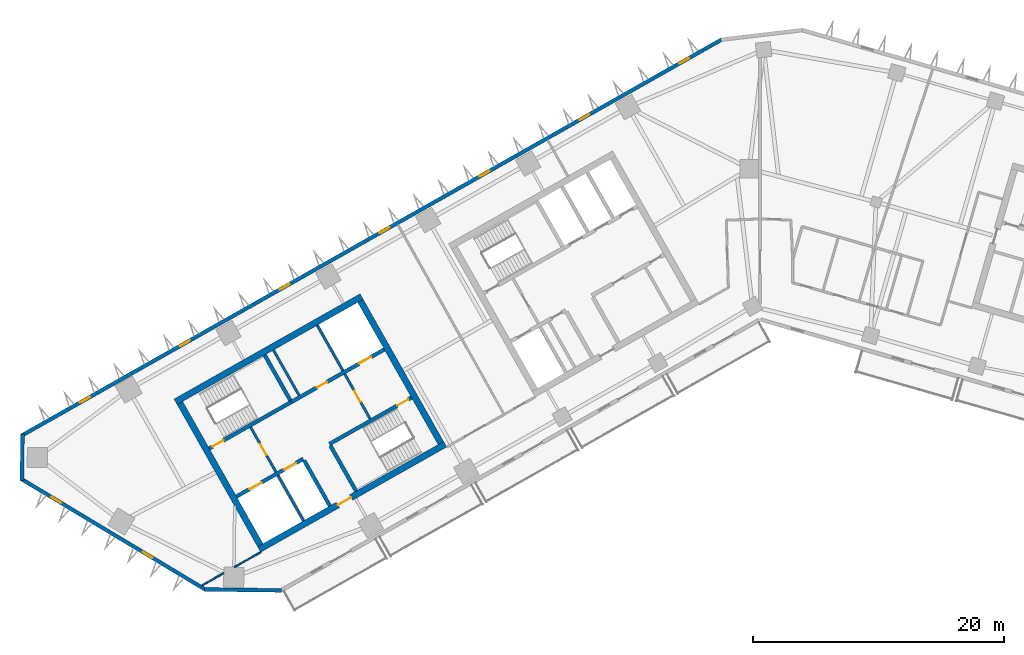
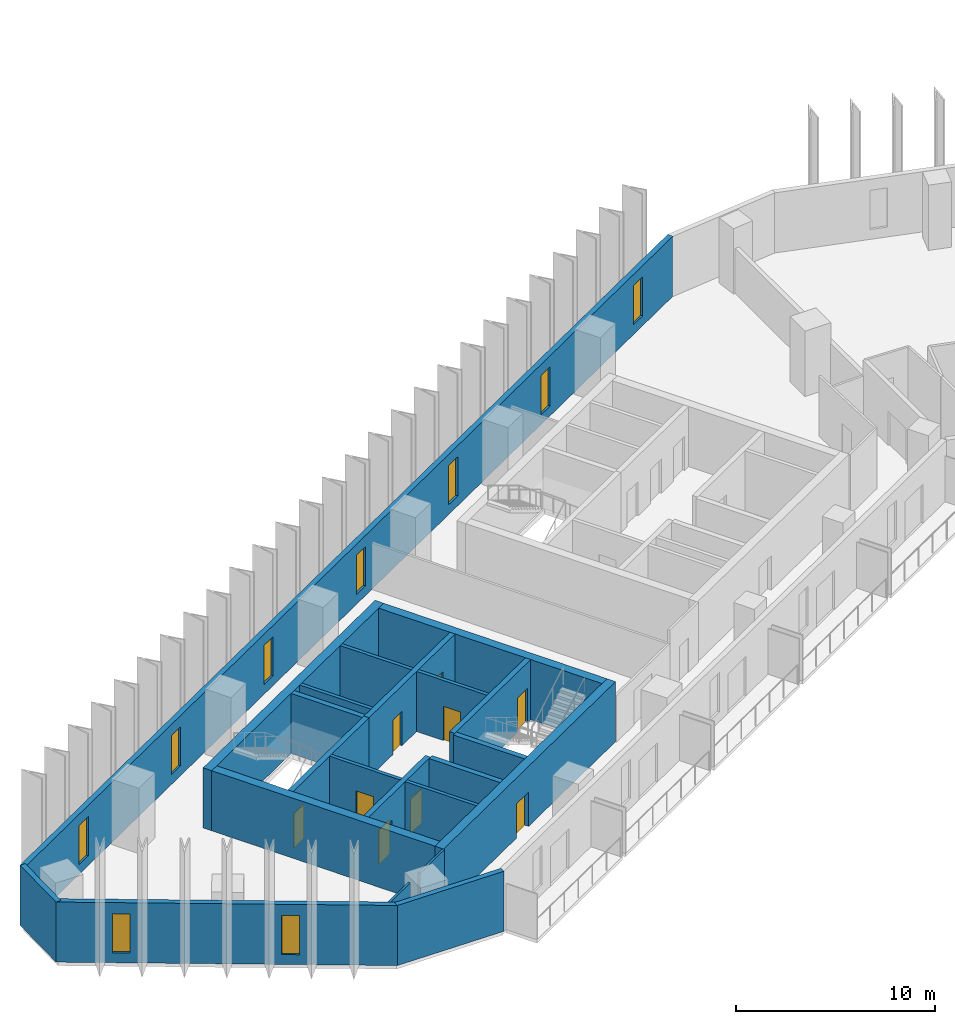
# One storey, part 3 of 10: 22 walls, 9 doors, 9 windows, 18 openings.
"""IFC4 building model written with IfcOpenShell, lengths in metres."""

from ifc_helpers import new_model, si_unit, direction, frame, frame_2d, origin, place, context, subcontext, project, spatial, rectangle, extrude, material, layer, layer_set, type_object, element, fill, save


model = new_model("IFC4")

# Units and contexts
model_context = context("Model", 3, precision=1e-05, world=origin(), true_north=direction((0.0, 1.0)))
body_context = subcontext(model_context, "Body", "Model", "MODEL_VIEW")
ifc_project = project(units=[si_unit("LENGTHUNIT", "METRE"), si_unit("AREAUNIT", "SQUARE_METRE"), si_unit("VOLUMEUNIT", "CUBIC_METRE"), si_unit("PLANEANGLEUNIT", "RADIAN"), si_unit("MASSUNIT", "GRAM", prefix="KILO")], contexts=[model_context])

# Site, building, storey
site_placement = place(None, origin())
site = spatial("IfcSite", under=ifc_project, at=site_placement, CompositionType="ELEMENT")
building_placement = place(site_placement, origin())
building = spatial("IfcBuilding", under=site, at=building_placement, Name="Binnacle Exchange Tower", CompositionType="ELEMENT")
storey_placement = place(building_placement, frame((0.0, 0.0, 178.89990234375)))
storey = spatial("IfcBuildingStorey", under=building, at=storey_placement, Name="L38", CompositionType="ELEMENT", Elevation=178.89990234375)

# Wall, openings, doors
ifc_material_1 = material(Name="Concrete C70/85", Category="concrete")
ifc_layer_1 = layer(ifc_material_1, 0.300048828125)
ifc_layer_set_1 = layer_set([ifc_layer_1], Name="Core wall - front 300")
wall_type_1 = type_object("IfcWallType", Name="Core wall - front 300", PredefinedType="SOLIDWALL", material=ifc_layer_set_1)
wall_1_placement = place(storey_placement, frame((-41.64306640625, 33.91162109375, 0.0), z_axis=(0.0, 0.0, 1.0), x_axis=(0.870343599782, 0.492444939378, 0.0)))
wall_1 = element("IfcWall", 1, at=wall_1_placement, inside=storey, type_object=wall_type_1, Name="Core wall CRWA2", PredefinedType="SOLIDWALL", context=body_context, shape_type="SweptSolid", body=[
    extrude(rectangle(XDim=6.10009765625, YDim=0.300048828125, at=frame_2d((3.050048828125, 0.0))), origin(), (0.0, 0.0, 1.0), 3.68017578125),
])
opening_1_placement = place(wall_1_placement, frame((1.199951171875, 0.0, 0.0)))
opening_1 = element("IfcOpeningElement", 2, at=opening_1_placement, cuts=wall_1, Name="Opening LD12", PredefinedType="OPENING", context=body_context, shape_type="SweptSolid", body=[
    extrude(rectangle(XDim=1.10009765625, YDim=2.10009765625, at=frame_2d((0.550048828125, 1.050048828125))), frame((0.0, 0.159912109375, 0.0), z_axis=(0.0, -1.0, 0.0), x_axis=(1.0, 0.0, 0.0)), (0.0, 0.0, 1.0), 0.320068359375),
])
opening_2_placement = place(wall_1_placement, frame((4.35009765625, 0.0, 0.0)))
opening_2 = element("IfcOpeningElement", 3, at=opening_2_placement, cuts=wall_1, Name="Opening LD8", PredefinedType="OPENING", context=body_context, shape_type="SweptSolid", body=[
    extrude(rectangle(XDim=1.10009765625, YDim=2.10009765625, at=frame_2d((0.550048828125, 1.050048828125))), frame((0.0, 0.159912109375, 0.0), z_axis=(0.0, -1.0, 0.0), x_axis=(1.0, 0.0, 0.0)), (0.0, 0.0, 1.0), 0.320068359375),
])
ifc_material_2 = material(Name="Steel door leaf", Category="steel")
door_type_1 = type_object("IfcDoorType", Name="Fire door - lift landing 1100", OperationType="NOTDEFINED", PredefinedType="DOOR", material=ifc_material_2)
door_1_placement = place(opening_1_placement, origin())
door_1 = element("IfcDoor", 4, at=door_1_placement, inside=storey, type_object=door_type_1, Name="Landing door LD12 L38", OperationType="DOUBLE_DOOR_SLIDING", OverallHeight=2.10009765625, OverallWidth=1.10009765625, PredefinedType="DOOR", context=body_context, shape_type="SweptSolid", body=[
    extrude(rectangle(XDim=1.10009765625, YDim=2.10009765625, at=frame_2d((0.550048828125, 1.050048828125))), frame((0.0, 0.02490234375, 0.0), z_axis=(0.0, -1.0, 0.0), x_axis=(1.0, 0.0, 0.0)), (0.0, 0.0, 1.0), 0.050048828125),
])
fill(opening_1, door_1)
door_2_placement = place(opening_2_placement, origin())
door_2 = element("IfcDoor", 5, at=door_2_placement, inside=storey, type_object=door_type_1, Name="Landing door LD8 L38", OperationType="DOUBLE_DOOR_SLIDING", OverallHeight=2.10009765625, OverallWidth=1.10009765625, PredefinedType="DOOR", context=body_context, shape_type="SweptSolid", body=[
    extrude(rectangle(XDim=1.10009765625, YDim=2.10009765625, at=frame_2d((0.550048828125, 1.050048828125))), frame((0.0, 0.02490234375, 0.0), z_axis=(0.0, -1.0, 0.0), x_axis=(1.0, 0.0, 0.0)), (0.0, 0.0, 1.0), 0.050048828125),
])
fill(opening_2, door_2)

wall_2_placement = place(storey_placement, frame((-37.281982421875, 41.4345703125, 0.0), z_axis=(0.0, 0.0, 1.0), x_axis=(0.870356271124, 0.492422543467, 0.0)))
wall_2 = element("IfcWall", 6, at=wall_2_placement, inside=storey, type_object=wall_type_1, Name="Core wall CRWA5", PredefinedType="SOLIDWALL", context=body_context, shape_type="SweptSolid", body=[
    extrude(rectangle(XDim=8.5, YDim=0.300048828125, at=frame_2d((4.25, 0.0))), origin(), (0.0, 0.0, 1.0), 3.68017578125),
])
opening_3_placement = place(wall_2_placement, frame((6.199951171875, 0.0, 0.0)))
opening_3 = element("IfcOpeningElement", 7, at=opening_3_placement, cuts=wall_2, Name="Opening LD13", PredefinedType="OPENING", context=body_context, shape_type="SweptSolid", body=[
    extrude(rectangle(XDim=1.10009765625, YDim=2.10009765625, at=frame_2d((0.550048828125, 1.050048828125))), frame((0.0, 0.159912109375, 0.0), z_axis=(0.0, -1.0, 0.0), x_axis=(1.0, 0.0, 0.0)), (0.0, 0.0, 1.0), 0.320068359375),
])
opening_4_placement = place(wall_2_placement, frame((2.35009765625, 0.0, 0.0)))
opening_4 = element("IfcOpeningElement", 8, at=opening_4_placement, cuts=wall_2, Name="Opening DA10", PredefinedType="OPENING", context=body_context, shape_type="SweptSolid", body=[
    extrude(rectangle(XDim=0.89990234375, YDim=2.10009765625, at=frame_2d((0.449951171875, 1.050048828125))), frame((0.0, 0.159912109375, 0.0), z_axis=(0.0, -1.0, 0.0), x_axis=(1.0, 0.0, 0.0)), (0.0, 0.0, 1.0), 0.320068359375),
])
door_3_placement = place(opening_3_placement, origin())
door_3 = element("IfcDoor", 9, at=door_3_placement, inside=storey, type_object=door_type_1, Name="Landing door LD13 L38", OperationType="DOUBLE_DOOR_SLIDING", OverallHeight=2.10009765625, OverallWidth=1.10009765625, PredefinedType="DOOR", context=body_context, shape_type="SweptSolid", body=[
    extrude(rectangle(XDim=1.10009765625, YDim=2.10009765625, at=frame_2d((0.550048828125, 1.050048828125))), frame((0.0, 0.02490234375, 0.0), z_axis=(0.0, -1.0, 0.0), x_axis=(1.0, 0.0, 0.0)), (0.0, 0.0, 1.0), 0.050048828125),
])
fill(opening_3, door_3)
door_type_2 = type_object("IfcDoorType", Name="Fire door 900", OperationType="NOTDEFINED", PredefinedType="DOOR", material=ifc_material_2)
door_4_placement = place(opening_4_placement, origin())
door_4 = element("IfcDoor", 10, at=door_4_placement, inside=storey, type_object=door_type_2, Name="Core room door TELECOM RISER ROOM", OperationType="SINGLE_SWING_LEFT", OverallHeight=2.10009765625, OverallWidth=0.89990234375, PredefinedType="DOOR", context=body_context, shape_type="SweptSolid", body=[
    extrude(rectangle(XDim=0.89990234375, YDim=2.10009765625, at=frame_2d((0.449951171875, 1.050048828125))), frame((0.0, 0.02490234375, 0.0), z_axis=(0.0, -1.0, 0.0), x_axis=(1.0, 0.0, 0.0)), (0.0, 0.0, 1.0), 0.050048828125),
])
fill(opening_4, door_4)

# Wall
wall_3_placement = place(storey_placement, frame((-36.260009765625, 36.784912109375, 0.0), z_axis=(0.0, 0.0, 1.0), x_axis=(0.492421666909, -0.870356767055, 0.0)))
element("IfcWall", 11, at=wall_3_placement, inside=storey, type_object=wall_type_1, Name="Core wall CRWA13", PredefinedType="SOLIDWALL", context=body_context, shape_type="SweptSolid", body=[
    extrude(rectangle(XDim=4.14990234375, YDim=0.300048828125, at=frame_2d((2.074951171875, 0.0))), origin(), (0.0, 0.0, 1.0), 3.68017578125),
])

# Wall, opening, door
ifc_layer_2 = layer(ifc_material_1, 0.5)
ifc_layer_set_2 = layer_set([ifc_layer_2], Name="Core wall - outer 500")
wall_type_2 = type_object("IfcWallType", Name="Core wall - outer 500", PredefinedType="SOLIDWALL", material=ifc_layer_set_2)
wall_4_placement = place(storey_placement, frame((-39.837646484375, 29.705322265625, 0.0), z_axis=(0.0, 0.0, 1.0), x_axis=(0.870350116061, 0.492433422375, 0.0)))
wall_4 = element("IfcWall", 12, at=wall_4_placement, inside=storey, type_object=wall_type_2, Name="Core wall CRWA1", PredefinedType="SOLIDWALL", context=body_context, shape_type="SweptSolid", body=[
    extrude(rectangle(XDim=17.0, YDim=0.5, at=frame_2d((8.5, 0.0))), origin(), (0.0, 0.0, 1.0), 3.68017578125),
])
opening_5_placement = place(wall_4_placement, frame((7.199951171875, 0.0, 0.0)))
opening_5 = element("IfcOpeningElement", 13, at=opening_5_placement, cuts=wall_4, Name="Opening DA7", PredefinedType="OPENING", context=body_context, shape_type="SweptSolid", body=[
    extrude(rectangle(XDim=1.199951171875, YDim=2.10009765625, at=frame_2d((0.60009765625, 1.050048828125))), frame((0.0, 0.260009765625, 0.0), z_axis=(0.0, -1.0, 0.0), x_axis=(1.0, 0.0, 0.0)), (0.0, 0.0, 1.0), 0.52001953125),
])
door_type_3 = type_object("IfcDoorType", Name="Fire door 1200", OperationType="NOTDEFINED", PredefinedType="DOOR", material=ifc_material_2)
door_5_placement = place(opening_5_placement, frame((1.199951171875, 0.0, 0.0), z_axis=(0.0, 0.0, 1.0), x_axis=(-1.0, 0.0, 0.0)))
door_5 = element("IfcDoor", 14, at=door_5_placement, inside=storey, type_object=door_type_3, Name="Lift lobby entrance door core A", OperationType="SINGLE_SWING_RIGHT", OverallHeight=2.10009765625, OverallWidth=1.199951171875, PredefinedType="DOOR", context=body_context, shape_type="SweptSolid", body=[
    extrude(rectangle(XDim=1.199951171875, YDim=2.10009765625, at=frame_2d((0.60009765625, 1.050048828125))), frame((0.0, 0.02490234375, 0.0), z_axis=(0.0, -1.0, 0.0), x_axis=(1.0, 0.0, 0.0)), (0.0, 0.0, 1.0), 0.050048828125),
])
fill(opening_5, door_5)

# Walls
wall_5_placement = place(storey_placement, frame((-46.485595703125, 41.455078125, 0.0), z_axis=(0.0, 0.0, 1.0), x_axis=(0.870353598469, 0.492427267353, 0.0)))
element("IfcWall", 15, at=wall_5_placement, inside=storey, type_object=wall_type_2, Name="Core wall CRWA6", PredefinedType="SOLIDWALL", context=body_context, shape_type="SweptSolid", body=[
    extrude(rectangle(XDim=17.000244140625, YDim=0.5, at=frame_2d((8.5, 0.0))), origin(), (0.0, 0.0, 1.0), 3.68017578125),
])
for number, where, z_axis, x_axis, name in (
    (16, (-46.144775390625, 41.360595703125, 0.0), (0.0, 0.0, 1.0), (0.492435316254, -0.870349044525, 0.0), "Core wall CRWA7"),
    (17, (-31.783935546875, 49.485595703125, 0.0), (0.0, 0.0, 1.0), (0.492435316254, -0.870349044525, 0.0), "Core wall CRWA22"),
):
    element("IfcWall", number, at=place(storey_placement, frame(where, z_axis=z_axis, x_axis=x_axis)), inside=storey, type_object=wall_type_2, Name=name, PredefinedType="SOLIDWALL", context=body_context, shape_type="SweptSolid", body=[
        extrude(rectangle(XDim=13.0, YDim=0.5, at=frame_2d((6.5, 0.0))), origin(), (0.0, 0.0, 1.0), 3.68017578125),
    ])

# Wall, opening, door
ifc_layer_3 = layer(ifc_material_1, 0.300048828125)
ifc_layer_set_3 = layer_set([ifc_layer_3], Name="Core wall - stair 300")
wall_type_3 = type_object("IfcWallType", Name="Core wall - stair 300", PredefinedType="SOLIDWALL", material=ifc_layer_set_3)
wall_6_placement = place(storey_placement, frame((-34.2451171875, 38.097412109375, 0.0), z_axis=(0.0, 0.0, 1.0), x_axis=(0.870364520461, 0.492407962489, 0.0)))
wall_6 = element("IfcWall", 18, at=wall_6_placement, inside=storey, type_object=wall_type_3, Name="Core wall CRWA3", PredefinedType="SOLIDWALL", context=body_context, shape_type="SweptSolid", body=[
    extrude(rectangle(XDim=7.5, YDim=0.300048828125, at=frame_2d((3.75, 0.0))), origin(), (0.0, 0.0, 1.0), 3.68017578125),
])
opening_6_placement = place(wall_6_placement, frame((6.199951171875, 0.0, 0.0)))
opening_6 = element("IfcOpeningElement", 19, at=opening_6_placement, cuts=wall_6, Name="Opening DA2", PredefinedType="OPENING", context=body_context, shape_type="SweptSolid", body=[
    extrude(rectangle(XDim=1.0, YDim=2.10009765625, at=frame_2d((0.5, 1.050048828125))), frame((0.0, 0.159912109375, 0.0), z_axis=(0.0, -1.0, 0.0), x_axis=(1.0, 0.0, 0.0)), (0.0, 0.0, 1.0), 0.320068359375),
])
door_type_4 = type_object("IfcDoorType", Name="Fire door 1000", OperationType="NOTDEFINED", PredefinedType="DOOR", material=ifc_material_2)
door_6_placement = place(opening_6_placement, frame((1.0, 0.0, 0.0), z_axis=(0.0, 0.0, 1.0), x_axis=(-1.0, 0.0, 0.0)))
door_6 = element("IfcDoor", 20, at=door_6_placement, inside=storey, type_object=door_type_4, Name="Stair door ST-A2", OperationType="SINGLE_SWING_LEFT", OverallHeight=2.10009765625, OverallWidth=1.0, PredefinedType="DOOR", context=body_context, shape_type="SweptSolid", body=[
    extrude(rectangle(XDim=1.0, YDim=2.10009765625, at=frame_2d((0.5, 1.050048828125))), frame((0.0, 0.02490234375, 0.0), z_axis=(0.0, -1.0, 0.0), x_axis=(1.0, 0.0, 0.0)), (0.0, 0.0, 1.0), 0.050048828125),
])
fill(opening_6, door_6)

wall_7_placement = place(storey_placement, frame((-43.809814453125, 37.7412109375, 0.0), z_axis=(0.0, 0.0, 1.0), x_axis=(0.870350569555, 0.492432620848, 0.0)))
wall_7 = element("IfcWall", 21, at=wall_7_placement, inside=storey, type_object=wall_type_3, Name="Core wall CRWA4", PredefinedType="SOLIDWALL", context=body_context, shape_type="SweptSolid", body=[
    extrude(rectangle(XDim=7.500244140625, YDim=0.300048828125, at=frame_2d((3.75, 0.0))), origin(), (0.0, 0.0, 1.0), 3.68017578125),
])
opening_7_placement = place(wall_7_placement, frame((0.2998046875, 0.0, 0.0)))
opening_7 = element("IfcOpeningElement", 22, at=opening_7_placement, cuts=wall_7, Name="Opening DA1", PredefinedType="OPENING", context=body_context, shape_type="SweptSolid", body=[
    extrude(rectangle(XDim=1.0, YDim=2.10009765625, at=frame_2d((0.5, 1.050048828125))), frame((0.0, 0.159912109375, 0.0), z_axis=(0.0, -1.0, 0.0), x_axis=(1.0, 0.0, 0.0)), (0.0, 0.0, 1.0), 0.320068359375),
])
door_7_placement = place(opening_7_placement, origin())
door_7 = element("IfcDoor", 23, at=door_7_placement, inside=storey, type_object=door_type_4, Name="Stair door ST-A1", OperationType="SINGLE_SWING_LEFT", OverallHeight=2.10009765625, OverallWidth=1.0, PredefinedType="DOOR", context=body_context, shape_type="SweptSolid", body=[
    extrude(rectangle(XDim=1.0, YDim=2.10009765625, at=frame_2d((0.5, 1.050048828125))), frame((0.0, 0.02490234375, 0.0), z_axis=(0.0, -1.0, 0.0), x_axis=(1.0, 0.0, 0.0)), (0.0, 0.0, 1.0), 0.050048828125),
])
fill(opening_7, door_7)

# Walls
for number, where, z_axis, x_axis, name in (
    (24, (-39.3994140625, 45.177001953125, 0.0), (0.0, 0.0, 1.0), (0.492396453737, -0.870371031427, 0.0), "Core wall CRWA14"),
    (25, (-34.171142578125, 37.966796875, 0.0), (0.0, 0.0, 1.0), (0.492396453737, -0.870371031427, 0.0), "Core wall CRWA16"),
):
    element("IfcWall", number, at=place(storey_placement, frame(where, z_axis=z_axis, x_axis=x_axis)), inside=storey, type_object=wall_type_3, Name=name, PredefinedType="SOLIDWALL", context=body_context, shape_type="SweptSolid", body=[
        extrude(rectangle(XDim=4.14990234375, YDim=0.300048828125, at=frame_2d((2.074951171875, 0.0))), origin(), (0.0, 0.0, 1.0), 3.68017578125),
    ])
ifc_material_3 = material(Name="Bronze aluminium cladding", Category="aluminium")
ifc_layer_4 = layer(ifc_material_3, 0.300048828125)
ifc_layer_set_4 = layer_set([ifc_layer_4], Name="External wall - spandrel 300")
wall_type_4 = type_object("IfcWallType", Name="External wall - spandrel 300", PredefinedType="STANDARD", material=ifc_layer_set_4)
wall_8_placement = place(storey_placement, frame((-38.057373046875, 26.44482421875, 0.0), z_axis=(0.0, 0.0, 1.0), x_axis=(-0.999914086342, 0.013108010296, 0.0)))
element("IfcWall", 26, at=wall_8_placement, inside=storey, type_object=wall_type_4, Name="External wall EW-G00 L38", PredefinedType="STANDARD", context=body_context, shape_type="SweptSolid", body=[
    extrude(rectangle(XDim=6.127685546875, YDim=0.300048828125, at=frame_2d((3.06396484375, 0.0))), origin(), (0.0, 0.0, 1.0), 3.68017578125),
])

# Wall, openings, windows
wall_9_placement = place(storey_placement, frame((-58.744873046875, 38.763671875, 0.0), z_axis=(0.0, 0.0, 1.0), x_axis=(0.870355811726, 0.492423355453, 0.0)))
wall_9 = element("IfcWall", 27, at=wall_9_placement, inside=storey, type_object=wall_type_4, Name="External wall EW-G08 L38", PredefinedType="STANDARD", context=body_context, shape_type="SweptSolid", body=[
    extrude(rectangle(XDim=64.025390625, YDim=0.300048828125, at=frame_2d((32.0126953125, 0.0))), origin(), (0.0, 0.0, 1.0), 3.68017578125),
])
opening_8_placement = place(wall_9_placement, frame((60.12158203125, 0.0, 0.60009765625)))
opening_8 = element("IfcOpeningElement", 28, at=opening_8_placement, cuts=wall_9, Name="Opening WS3", PredefinedType="OPENING", context=body_context, shape_type="SweptSolid", body=[
    extrude(rectangle(XDim=0.89990234375, YDim=2.39990234375, at=frame_2d((0.449951171875, 1.199951171875))), frame((0.0, 0.159912109375, 0.0), z_axis=(0.0, -1.0, 0.0), x_axis=(1.0, 0.0, 0.0)), (0.0, 0.0, 1.0), 0.320068359375),
])
opening_9_placement = place(wall_9_placement, frame((50.99169921875, 0.0, 0.60009765625)))
opening_9 = element("IfcOpeningElement", 29, at=opening_9_placement, cuts=wall_9, Name="Opening WS3", PredefinedType="OPENING", context=body_context, shape_type="SweptSolid", body=[
    extrude(rectangle(XDim=0.89990234375, YDim=2.39990234375, at=frame_2d((0.449951171875, 1.199951171875))), frame((0.0, 0.159912109375, 0.0), z_axis=(0.0, -1.0, 0.0), x_axis=(1.0, 0.0, 0.0)), (0.0, 0.0, 1.0), 0.320068359375),
])
opening_10_placement = place(wall_9_placement, frame((41.86181640625, 0.0, 0.60009765625)))
opening_10 = element("IfcOpeningElement", 30, at=opening_10_placement, cuts=wall_9, Name="Opening WS3", PredefinedType="OPENING", context=body_context, shape_type="SweptSolid", body=[
    extrude(rectangle(XDim=0.89990234375, YDim=2.39990234375, at=frame_2d((0.449951171875, 1.199951171875))), frame((0.0, 0.159912109375, 0.0), z_axis=(0.0, -1.0, 0.0), x_axis=(1.0, 0.0, 0.0)), (0.0, 0.0, 1.0), 0.320068359375),
])
opening_11_placement = place(wall_9_placement, frame((32.73193359375, 0.0, 0.60009765625)))
opening_11 = element("IfcOpeningElement", 31, at=opening_11_placement, cuts=wall_9, Name="Opening WS3", PredefinedType="OPENING", context=body_context, shape_type="SweptSolid", body=[
    extrude(rectangle(XDim=0.89990234375, YDim=2.39990234375, at=frame_2d((0.449951171875, 1.199951171875))), frame((0.0, 0.159912109375, 0.0), z_axis=(0.0, -1.0, 0.0), x_axis=(1.0, 0.0, 0.0)), (0.0, 0.0, 1.0), 0.320068359375),
])
opening_12_placement = place(wall_9_placement, frame((23.60205078125, 0.0, 0.60009765625)))
opening_12 = element("IfcOpeningElement", 32, at=opening_12_placement, cuts=wall_9, Name="Opening WS3", PredefinedType="OPENING", context=body_context, shape_type="SweptSolid", body=[
    extrude(rectangle(XDim=0.89990234375, YDim=2.39990234375, at=frame_2d((0.449951171875, 1.199951171875))), frame((0.0, 0.159912109375, 0.0), z_axis=(0.0, -1.0, 0.0), x_axis=(1.0, 0.0, 0.0)), (0.0, 0.0, 1.0), 0.320068359375),
])
opening_13_placement = place(wall_9_placement, frame((14.47216796875, 0.0, 0.60009765625)))
opening_13 = element("IfcOpeningElement", 33, at=opening_13_placement, cuts=wall_9, Name="Opening WS3", PredefinedType="OPENING", context=body_context, shape_type="SweptSolid", body=[
    extrude(rectangle(XDim=0.89990234375, YDim=2.39990234375, at=frame_2d((0.449951171875, 1.199951171875))), frame((0.0, 0.159912109375, 0.0), z_axis=(0.0, -1.0, 0.0), x_axis=(1.0, 0.0, 0.0)), (0.0, 0.0, 1.0), 0.320068359375),
])
opening_14_placement = place(wall_9_placement, frame((5.34228515625, 0.0, 0.60009765625)))
opening_14 = element("IfcOpeningElement", 34, at=opening_14_placement, cuts=wall_9, Name="Opening WS3", PredefinedType="OPENING", context=body_context, shape_type="SweptSolid", body=[
    extrude(rectangle(XDim=0.89990234375, YDim=2.39990234375, at=frame_2d((0.449951171875, 1.199951171875))), frame((0.0, 0.159912109375, 0.0), z_axis=(0.0, -1.0, 0.0), x_axis=(1.0, 0.0, 0.0)), (0.0, 0.0, 1.0), 0.320068359375),
])
ifc_material_4 = material(Name="Bronze anodised aluminium frame", Category="aluminium")
window_type = type_object("IfcWindowType", Name="WS3 WINDOW 900x2400", PartitioningType="SINGLE_PANEL", PredefinedType="WINDOW", material=ifc_material_4)
window_1_placement = place(opening_8_placement, origin())
window_1 = element("IfcWindow", 35, at=window_1_placement, inside=storey, type_object=window_type, Name="Window WS3 L38", OverallHeight=2.39990234375, OverallWidth=0.89990234375, PartitioningType="SINGLE_PANEL", PredefinedType="WINDOW", context=body_context, shape_type="SweptSolid", body=[
    extrude(rectangle(XDim=0.89990234375, YDim=2.39990234375, at=frame_2d((0.449951171875, 1.199951171875))), frame((0.0, 0.030029296875, 0.0), z_axis=(0.0, -1.0, 0.0), x_axis=(1.0, 0.0, 0.0)), (0.0, 0.0, 1.0), 0.06005859375),
])
fill(opening_8, window_1)
window_2_placement = place(opening_9_placement, origin())
window_2 = element("IfcWindow", 36, at=window_2_placement, inside=storey, type_object=window_type, Name="Window WS3 L38", OverallHeight=2.39990234375, OverallWidth=0.89990234375, PartitioningType="SINGLE_PANEL", PredefinedType="WINDOW", context=body_context, shape_type="SweptSolid", body=[
    extrude(rectangle(XDim=0.89990234375, YDim=2.39990234375, at=frame_2d((0.449951171875, 1.199951171875))), frame((0.0, 0.030029296875, 0.0), z_axis=(0.0, -1.0, 0.0), x_axis=(1.0, 0.0, 0.0)), (0.0, 0.0, 1.0), 0.06005859375),
])
fill(opening_9, window_2)
window_3_placement = place(opening_10_placement, origin())
window_3 = element("IfcWindow", 37, at=window_3_placement, inside=storey, type_object=window_type, Name="Window WS3 L38", OverallHeight=2.39990234375, OverallWidth=0.89990234375, PartitioningType="SINGLE_PANEL", PredefinedType="WINDOW", context=body_context, shape_type="SweptSolid", body=[
    extrude(rectangle(XDim=0.89990234375, YDim=2.39990234375, at=frame_2d((0.449951171875, 1.199951171875))), frame((0.0, 0.030029296875, 0.0), z_axis=(0.0, -1.0, 0.0), x_axis=(1.0, 0.0, 0.0)), (0.0, 0.0, 1.0), 0.06005859375),
])
fill(opening_10, window_3)
window_4_placement = place(opening_11_placement, origin())
window_4 = element("IfcWindow", 38, at=window_4_placement, inside=storey, type_object=window_type, Name="Window WS3 L38", OverallHeight=2.39990234375, OverallWidth=0.89990234375, PartitioningType="SINGLE_PANEL", PredefinedType="WINDOW", context=body_context, shape_type="SweptSolid", body=[
    extrude(rectangle(XDim=0.89990234375, YDim=2.39990234375, at=frame_2d((0.449951171875, 1.199951171875))), frame((0.0, 0.030029296875, 0.0), z_axis=(0.0, -1.0, 0.0), x_axis=(1.0, 0.0, 0.0)), (0.0, 0.0, 1.0), 0.06005859375),
])
fill(opening_11, window_4)
window_5_placement = place(opening_12_placement, origin())
window_5 = element("IfcWindow", 39, at=window_5_placement, inside=storey, type_object=window_type, Name="Window WS3 L38", OverallHeight=2.39990234375, OverallWidth=0.89990234375, PartitioningType="SINGLE_PANEL", PredefinedType="WINDOW", context=body_context, shape_type="SweptSolid", body=[
    extrude(rectangle(XDim=0.89990234375, YDim=2.39990234375, at=frame_2d((0.449951171875, 1.199951171875))), frame((0.0, 0.030029296875, 0.0), z_axis=(0.0, -1.0, 0.0), x_axis=(1.0, 0.0, 0.0)), (0.0, 0.0, 1.0), 0.06005859375),
])
fill(opening_12, window_5)
window_6_placement = place(opening_13_placement, origin())
window_6 = element("IfcWindow", 40, at=window_6_placement, inside=storey, type_object=window_type, Name="Window WS3 L38", OverallHeight=2.39990234375, OverallWidth=0.89990234375, PartitioningType="SINGLE_PANEL", PredefinedType="WINDOW", context=body_context, shape_type="SweptSolid", body=[
    extrude(rectangle(XDim=0.89990234375, YDim=2.39990234375, at=frame_2d((0.449951171875, 1.199951171875))), frame((0.0, 0.030029296875, 0.0), z_axis=(0.0, -1.0, 0.0), x_axis=(1.0, 0.0, 0.0)), (0.0, 0.0, 1.0), 0.06005859375),
])
fill(opening_13, window_6)
window_7_placement = place(opening_14_placement, origin())
window_7 = element("IfcWindow", 41, at=window_7_placement, inside=storey, type_object=window_type, Name="Window WS3 L38", OverallHeight=2.39990234375, OverallWidth=0.89990234375, PartitioningType="SINGLE_PANEL", PredefinedType="WINDOW", context=body_context, shape_type="SweptSolid", body=[
    extrude(rectangle(XDim=0.89990234375, YDim=2.39990234375, at=frame_2d((0.449951171875, 1.199951171875))), frame((0.0, 0.030029296875, 0.0), z_axis=(0.0, -1.0, 0.0), x_axis=(1.0, 0.0, 0.0)), (0.0, 0.0, 1.0), 0.06005859375),
])
fill(opening_14, window_7)

# Wall
wall_10_placement = place(storey_placement, frame((-58.717041015625, 35.19384765625, 0.0), z_axis=(0.0, 0.0, 1.0), x_axis=(0.013069053407, 0.999914596275, 0.0)))
element("IfcWall", 42, at=wall_10_placement, inside=storey, type_object=wall_type_4, Name="External wall EW-G09 L38", PredefinedType="STANDARD", context=body_context, shape_type="SweptSolid", body=[
    extrude(rectangle(XDim=3.69873046875, YDim=0.300048828125, at=frame_2d((1.849365234375, 0.0))), origin(), (0.0, 0.0, 1.0), 3.68017578125),
])

# Wall, openings, windows
wall_11_placement = place(storey_placement, frame((-44.109375, 26.503662109375, 0.0), z_axis=(0.0, 0.0, 1.0), x_axis=(-0.857169502585, 0.515034410344, 0.0)))
wall_11 = element("IfcWall", 43, at=wall_11_placement, inside=storey, type_object=wall_type_4, Name="External wall EW-G10 L38", PredefinedType="STANDARD", context=body_context, shape_type="SweptSolid", body=[
    extrude(rectangle(XDim=17.126708984375, YDim=0.300048828125, at=frame_2d((8.5634765625, 0.0))), origin(), (0.0, 0.0, 1.0), 3.68017578125),
])
opening_15_placement = place(wall_11_placement, frame((13.403076171875, 0.0, 0.60009765625)))
opening_15 = element("IfcOpeningElement", 44, at=opening_15_placement, cuts=wall_11, Name="Opening WS3", PredefinedType="OPENING", context=body_context, shape_type="SweptSolid", body=[
    extrude(rectangle(XDim=0.89990234375, YDim=2.39990234375, at=frame_2d((0.449951171875, 1.199951171875))), frame((0.0, 0.159912109375, 0.0), z_axis=(0.0, -1.0, 0.0), x_axis=(1.0, 0.0, 0.0)), (0.0, 0.0, 1.0), 0.320068359375),
])
opening_16_placement = place(wall_11_placement, frame((4.903076171875, 0.0, 0.60009765625)))
opening_16 = element("IfcOpeningElement", 45, at=opening_16_placement, cuts=wall_11, Name="Opening WS3", PredefinedType="OPENING", context=body_context, shape_type="SweptSolid", body=[
    extrude(rectangle(XDim=0.89990234375, YDim=2.39990234375, at=frame_2d((0.449951171875, 1.199951171875))), frame((0.0, 0.159912109375, 0.0), z_axis=(0.0, -1.0, 0.0), x_axis=(1.0, 0.0, 0.0)), (0.0, 0.0, 1.0), 0.320068359375),
])
window_8_placement = place(opening_15_placement, origin())
window_8 = element("IfcWindow", 46, at=window_8_placement, inside=storey, type_object=window_type, Name="Window WS3 L38", OverallHeight=2.39990234375, OverallWidth=0.89990234375, PartitioningType="SINGLE_PANEL", PredefinedType="WINDOW", context=body_context, shape_type="SweptSolid", body=[
    extrude(rectangle(XDim=0.89990234375, YDim=2.39990234375, at=frame_2d((0.449951171875, 1.199951171875))), frame((0.0, 0.030029296875, 0.0), z_axis=(0.0, -1.0, 0.0), x_axis=(1.0, 0.0, 0.0)), (0.0, 0.0, 1.0), 0.06005859375),
])
fill(opening_15, window_8)
window_9_placement = place(opening_16_placement, origin())
window_9 = element("IfcWindow", 47, at=window_9_placement, inside=storey, type_object=window_type, Name="Window WS3 L38", OverallHeight=2.39990234375, OverallWidth=0.89990234375, PartitioningType="SINGLE_PANEL", PredefinedType="WINDOW", context=body_context, shape_type="SweptSolid", body=[
    extrude(rectangle(XDim=0.89990234375, YDim=2.39990234375, at=frame_2d((0.449951171875, 1.199951171875))), frame((0.0, 0.030029296875, 0.0), z_axis=(0.0, -1.0, 0.0), x_axis=(1.0, 0.0, 0.0)), (0.0, 0.0, 1.0), 0.06005859375),
])
fill(opening_16, window_9)

# Wall, opening, door
ifc_material_5 = material(Name="Masonry block wall", Category="masonry")
ifc_layer_5 = layer(ifc_material_5, 0.199951171875)
ifc_layer_set_5 = layer_set([ifc_layer_5], Name="Fire wall - vestibule 200")
wall_type_5 = type_object("IfcWallType", Name="Fire wall - vestibule 200", PredefinedType="PARTITIONING", material=ifc_layer_set_5)
wall_12_placement = place(storey_placement, frame((-40.515625, 39.4326171875, 0.0), z_axis=(0.0, 0.0, 1.0), x_axis=(0.492453559952, -0.87033872216, 0.0)))
wall_12 = element("IfcWall", 48, at=wall_12_placement, inside=storey, type_object=wall_type_5, Name="Core wall CRWA10", PredefinedType="PARTITIONING", context=body_context, shape_type="SweptSolid", body=[
    extrude(rectangle(XDim=4.099853515625, YDim=0.199951171875, at=frame_2d((2.0498046875, 0.0))), origin(), (0.0, 0.0, 1.0), 3.68017578125),
])
opening_17_placement = place(wall_12_placement, frame((1.550048828125, 0.0, 0.0)))
opening_17 = element("IfcOpeningElement", 49, at=opening_17_placement, cuts=wall_12, Name="Opening DA3", PredefinedType="OPENING", context=body_context, shape_type="SweptSolid", body=[
    extrude(rectangle(XDim=1.0, YDim=2.10009765625, at=frame_2d((0.5, 1.050048828125))), frame((0.0, 0.10986328125, 0.0), z_axis=(0.0, -1.0, 0.0), x_axis=(1.0, 0.0, 0.0)), (0.0, 0.0, 1.0), 0.219970703125),
])
door_8_placement = place(opening_17_placement, frame((1.0, 0.0, 0.0), z_axis=(0.0, 0.0, 1.0), x_axis=(-1.0, 0.0, 0.0)))
door_8 = element("IfcDoor", 50, at=door_8_placement, inside=storey, type_object=door_type_4, Name="Vestibule door VEST-W", OperationType="SINGLE_SWING_LEFT", OverallHeight=2.10009765625, OverallWidth=1.0, PredefinedType="DOOR", context=body_context, shape_type="SweptSolid", body=[
    extrude(rectangle(XDim=1.0, YDim=2.10009765625, at=frame_2d((0.5, 1.050048828125))), frame((0.0, 0.02490234375, 0.0), z_axis=(0.0, -1.0, 0.0), x_axis=(1.0, 0.0, 0.0)), (0.0, 0.0, 1.0), 0.050048828125),
])
fill(opening_17, door_8)

wall_13_placement = place(storey_placement, frame((-33.030517578125, 43.66748046875, 0.0), z_axis=(0.0, 0.0, 1.0), x_axis=(0.492408451753, -0.87036424366, 0.0)))
wall_13 = element("IfcWall", 51, at=wall_13_placement, inside=storey, type_object=wall_type_5, Name="Core wall CRWA19", PredefinedType="PARTITIONING", context=body_context, shape_type="SweptSolid", body=[
    extrude(rectangle(XDim=4.099853515625, YDim=0.199951171875, at=frame_2d((2.0498046875, 0.0))), origin(), (0.0, 0.0, 1.0), 3.68017578125),
])
opening_18_placement = place(wall_13_placement, frame((1.550048828125, 0.0, 0.0)))
opening_18 = element("IfcOpeningElement", 52, at=opening_18_placement, cuts=wall_13, Name="Opening DA4", PredefinedType="OPENING", context=body_context, shape_type="SweptSolid", body=[
    extrude(rectangle(XDim=1.0, YDim=2.10009765625, at=frame_2d((0.5, 1.050048828125))), frame((0.0, 0.10986328125, 0.0), z_axis=(0.0, -1.0, 0.0), x_axis=(1.0, 0.0, 0.0)), (0.0, 0.0, 1.0), 0.219970703125),
])
door_9_placement = place(opening_18_placement, origin())
door_9 = element("IfcDoor", 53, at=door_9_placement, inside=storey, type_object=door_type_4, Name="Vestibule door VEST-E", OperationType="SINGLE_SWING_RIGHT", OverallHeight=2.10009765625, OverallWidth=1.0, PredefinedType="DOOR", context=body_context, shape_type="SweptSolid", body=[
    extrude(rectangle(XDim=1.0, YDim=2.10009765625, at=frame_2d((0.5, 1.050048828125))), frame((0.0, 0.02490234375, 0.0), z_axis=(0.0, -1.0, 0.0), x_axis=(1.0, 0.0, 0.0)), (0.0, 0.0, 1.0), 0.050048828125),
])
fill(opening_18, door_9)

# Walls
ifc_material_6 = material(Name="Gypsum partition")
ifc_layer_6 = layer(ifc_material_6, 0.125)
ifc_layer_set_6 = layer_set([ifc_layer_6], Name="Partition 125")
wall_type_6 = type_object("IfcWallType", Name="Partition 125", PredefinedType="PARTITIONING", material=ifc_layer_set_6)
wall_14_placement = place(storey_placement, frame((-44.385986328125, 26.844970703125, 0.0), z_axis=(0.0, 0.0, 1.0), x_axis=(0.870453184796, 0.492251209322, 0.0)))
element("IfcWall", 54, at=wall_14_placement, inside=storey, type_object=wall_type_6, Name="Partition W01", PredefinedType="PARTITIONING", context=body_context, shape_type="SweptSolid", body=[
    extrude(rectangle(XDim=1.99072265625, YDim=0.125, at=frame_2d((0.995361328125, 0.0))), origin(), (0.0, 0.0, 1.0), 3.68017578125),
])
wall_15_placement = place(storey_placement, frame((-41.823974609375, 28.2939453125, 0.0), z_axis=(0.0, 0.0, 1.0), x_axis=(0.870189216305, 0.492717695873, 0.0)))
element("IfcWall", 55, at=wall_15_placement, inside=storey, type_object=wall_type_6, Name="Partition W02", PredefinedType="PARTITIONING", context=body_context, shape_type="SweptSolid", body=[
    extrude(rectangle(XDim=2.423583984375, YDim=0.125, at=frame_2d((1.2119140625, 0.0))), origin(), (0.0, 0.0, 1.0), 3.68017578125),
])
ifc_layer_7 = layer(ifc_material_5, 0.199951171875)
ifc_layer_set_7 = layer_set([ifc_layer_7], Name="Riser wall 200")
wall_type_7 = type_object("IfcWallType", Name="Riser wall 200", PredefinedType="SOLIDWALL", material=ifc_layer_set_7)
wall_16_placement = place(storey_placement, frame((-38.703125, 45.571044921875, 0.0), z_axis=(0.0, 0.0, 1.0), x_axis=(0.492396453737, -0.870371031427, 0.0)))
element("IfcWall", 56, at=wall_16_placement, inside=storey, type_object=wall_type_7, Name="Core wall CRWA15", PredefinedType="SOLIDWALL", context=body_context, shape_type="SweptSolid", body=[
    extrude(rectangle(XDim=4.14990234375, YDim=0.199951171875, at=frame_2d((2.074951171875, 0.0))), origin(), (0.0, 0.0, 1.0), 3.68017578125),
])
ifc_layer_8 = layer(ifc_material_5, 0.199951171875)
ifc_layer_set_8 = layer_set([ifc_layer_8], Name="Shaft wall 200")
wall_type_8 = type_object("IfcWallType", Name="Shaft wall 200", PredefinedType="SOLIDWALL", material=ifc_layer_set_8)
for number, where, z_axis, x_axis, name in (
    (57, (-38.348876953125, 35.603271484375, 0.0), (0.0, 0.0, 1.0), (0.492396453737, -0.870371031427, 0.0), "Core wall CRWA9"),
    (58, (-35.2216796875, 47.54052734375, 0.0), (0.0, 0.0, 1.0), (0.492421666909, -0.870356767055, 0.0), "Core wall CRWA21"),
):
    element("IfcWall", number, at=place(storey_placement, frame(where, z_axis=z_axis, x_axis=x_axis)), inside=storey, type_object=wall_type_8, Name=name, PredefinedType="SOLIDWALL", context=body_context, shape_type="SweptSolid", body=[
        extrude(rectangle(XDim=4.14990234375, YDim=0.199951171875, at=frame_2d((2.074951171875, 0.0))), origin(), (0.0, 0.0, 1.0), 3.68017578125),
    ])

save(model, "model.ifc")
